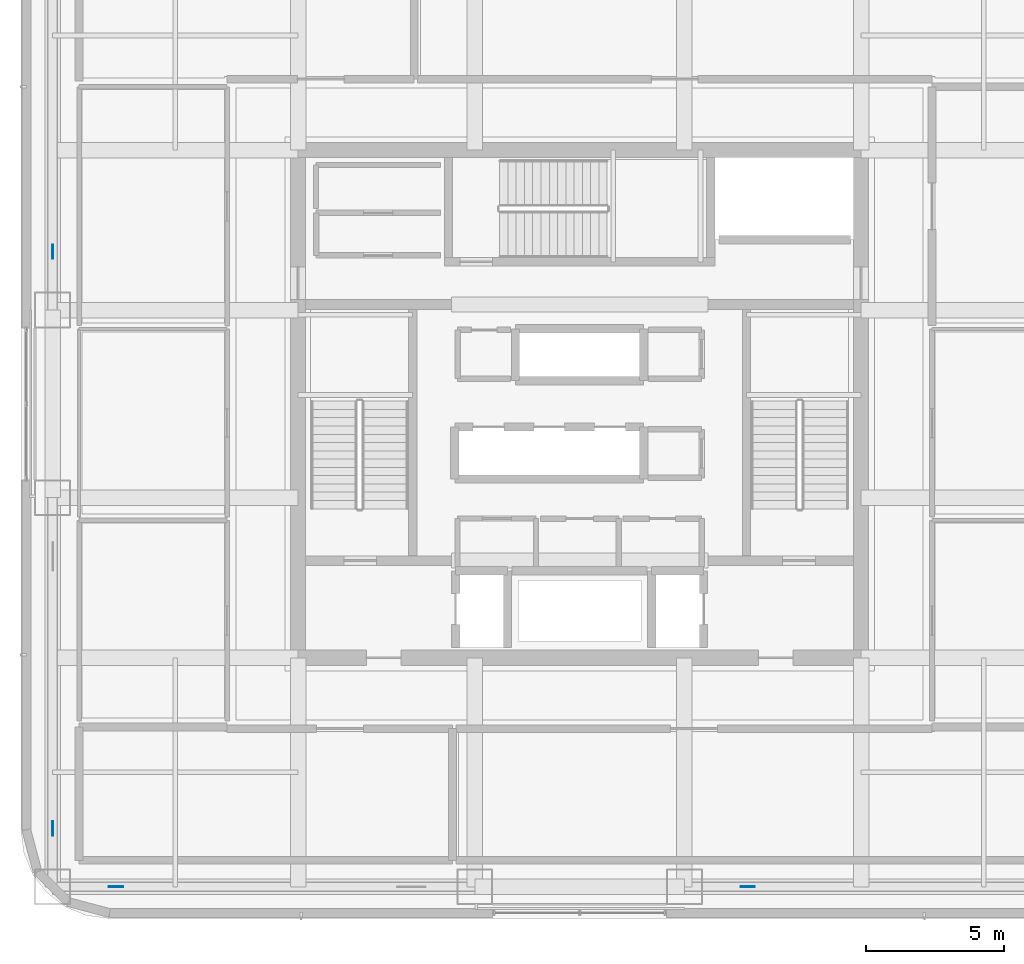
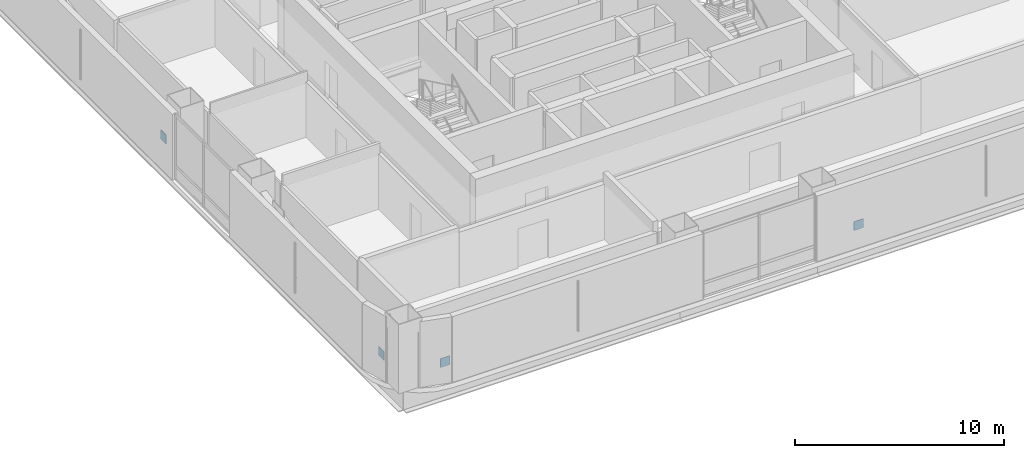
# One storey, part 13 of 30: 4 plates.
"""IFC4 building model written with IfcOpenShell, lengths in metres."""

from ifc_helpers import new_model, si_unit, direction, frame, origin, origin_2d, place, context, subcontext, project, spatial, rectangle, extrude, material, layer, layer_set, type_object, element, save


model = new_model("IFC4")

# Units and contexts
model_context = context("Model", 3, precision=1e-05, world=origin(), true_north=direction((0.0, 1.0)))
body_context = subcontext(model_context, "Body", "Model", "MODEL_VIEW")
ifc_project = project(units=[si_unit("LENGTHUNIT", "METRE"), si_unit("AREAUNIT", "SQUARE_METRE"), si_unit("VOLUMEUNIT", "CUBIC_METRE"), si_unit("PLANEANGLEUNIT", "RADIAN"), si_unit("MASSUNIT", "GRAM", prefix="KILO")], contexts=[model_context])

# Site, building, storey
site_placement = place(None, origin())
site = spatial("IfcSite", under=ifc_project, at=site_placement, CompositionType="ELEMENT")
building_placement = place(site_placement, origin())
building = spatial("IfcBuilding", under=site, at=building_placement, Name="Punatoya Terracotta Tower", CompositionType="ELEMENT")
storey_placement = place(building_placement, frame((0.0, 0.0, 251.39990234375)))
storey = spatial("IfcBuildingStorey", under=building, at=storey_placement, Name="L59", CompositionType="ELEMENT", Elevation=251.39990234375)

# Plates
ifc_material = material(Name="Steel S460", Category="steel")
ifc_layer = layer(ifc_material, 0.031982421875)
ifc_layer_set = layer_set([ifc_layer], Name="Steel S460")
plate_type = type_object("IfcPlateType", Name="PLT-END-32", PredefinedType="USERDEFINED", material=ifc_layer_set)
for number, where, z_axis, x_axis, name in (
    (1, (-16.804931640625, -17.5, 0.214599609375), (0.0, 0.0, 1.0), (1.0, 0.0, 0.0), "L59 Exoskeleton Base Node Plate S1"),
    (2, (6.094970703125, -17.5, 0.214599609375), (0.0, 0.0, 1.0), (1.0, 0.0, 0.0), "L59 Exoskeleton Base Node Plate S3"),
    (3, (-19.10009765625, -15.385009765625, 0.214599609375), (0.0, 0.0, 1.0), (0.0, 1.0, 0.0), "L59 Exoskeleton Base Node Plate W1"),
    (4, (-19.10009765625, 5.514892578125, 0.214599609375), (0.0, 0.0, 1.0), (0.0, 1.0, 0.0), "L59 Exoskeleton Base Node Plate W3"),
):
    element("IfcPlate", number, at=place(storey_placement, frame(where, z_axis=z_axis, x_axis=x_axis)), inside=storey, type_object=plate_type, Name=name, ObjectType="FLANGE_PLATE", PredefinedType="USERDEFINED", context=body_context, shape_type="SweptSolid", body=[
        extrude(rectangle(XDim=0.52001953125, YDim=0.031982421875, at=origin_2d()), origin(), (0.0, 0.0, 1.0), 0.52001953125),
    ])

save(model, "model.ifc")
